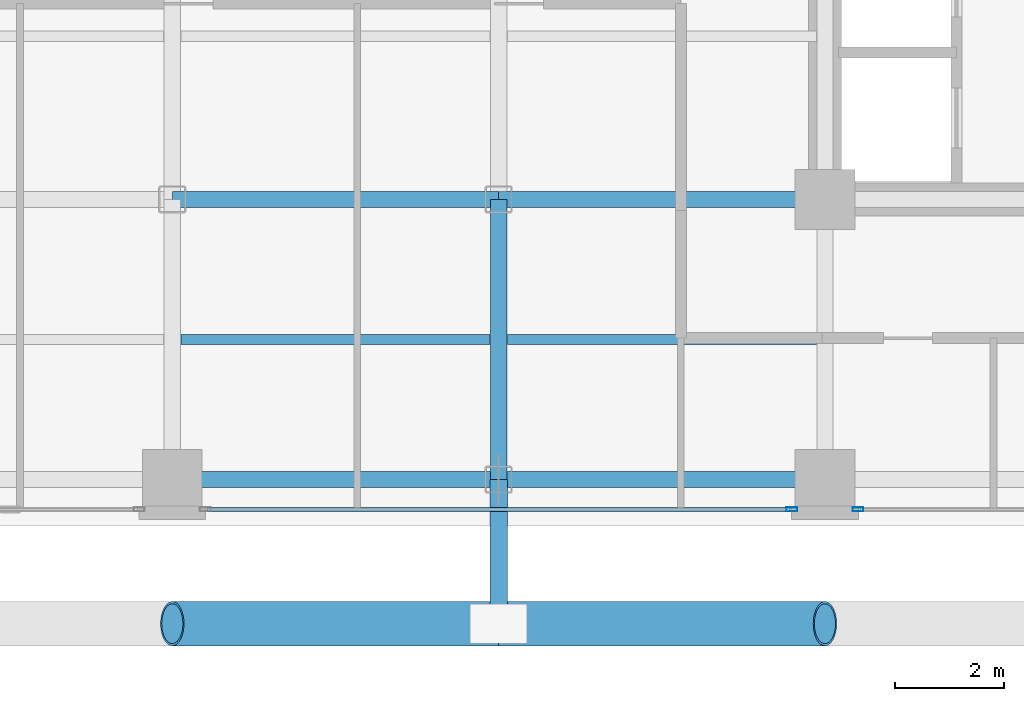
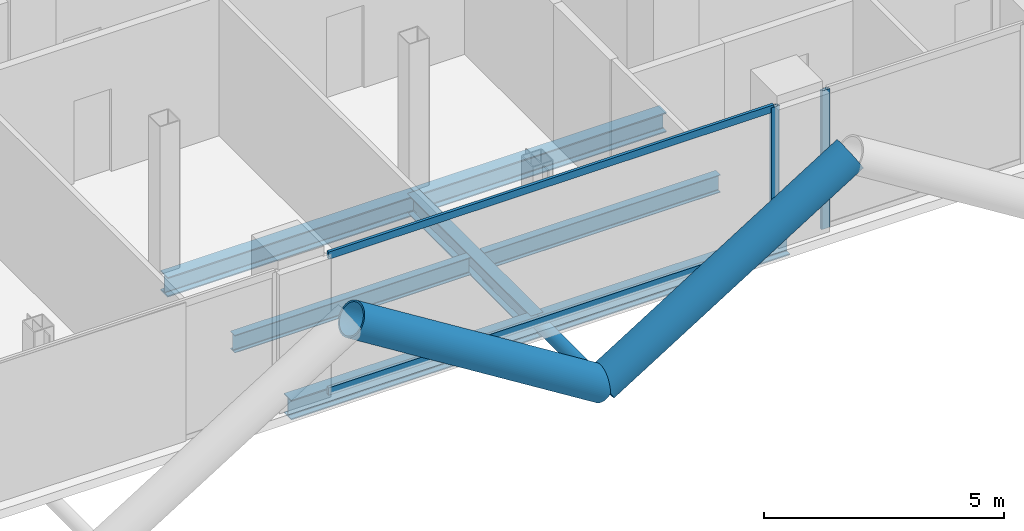
# One storey, part 4 of 28: 7 beams, 7 members, 2 elements without a shape of their own.
"""IFC4 building model written with IfcOpenShell, lengths in metres."""

from ifc_helpers import new_model, si_unit, direction, frame, origin, origin_2d, place, context, subcontext, project, spatial, hollow_rectangle, hollow_circle, i_section, extrude, material, layer, layer_set, material_profile, profile_set, type_object, element, aggregate, save


model = new_model("IFC4")

# Units and contexts
model_context = context("Model", 3, precision=1e-05, world=origin(), true_north=direction((0.0, 1.0)))
body_context = subcontext(model_context, "Body", "Model", "MODEL_VIEW")
ifc_project = project(units=[si_unit("LENGTHUNIT", "METRE"), si_unit("AREAUNIT", "SQUARE_METRE"), si_unit("VOLUMEUNIT", "CUBIC_METRE"), si_unit("PLANEANGLEUNIT", "RADIAN"), si_unit("MASSUNIT", "GRAM", prefix="KILO"), si_unit("THERMODYNAMICTEMPERATUREUNIT", "KELVIN"), si_unit("POWERUNIT", "WATT")], contexts=[model_context])

# Site, building, storey
site_placement = place(None, origin())
site = spatial("IfcSite", under=ifc_project, at=site_placement, CompositionType="ELEMENT")
building_placement = place(site_placement, origin())
building = spatial("IfcBuilding", under=site, at=building_placement, Name="Svarakhadi Broadcast Tower", CompositionType="ELEMENT")
storey_placement = place(building_placement, frame((0.0, 0.0, 149.39990234375)))
storey = spatial("IfcBuildingStorey", under=building, at=storey_placement, Name="L36", CompositionType="ELEMENT", Elevation=149.39990234375)

# Beams
ifc_material_1 = material(Name="Steel S355J2 (IS 2062 E350C)", Category="steel")
ifc_material_profile_1 = material_profile(ifc_material_1, i_section(OverallWidth=0.18994140625, OverallDepth=0.449951171875, WebThickness=0.009521484375, FlangeThickness=0.0146484375, FilletRadius=0.02099609375, at=origin_2d()), Name="NPB 450x190x78")
ifc_profile_set_1 = profile_set([ifc_material_profile_1], Name="Steel S355J2 (IS 2062 E350C)")
beam_type_1 = type_object("IfcBeamType", Name="Beam_NPB450", PredefinedType="BEAM", material=ifc_profile_set_1)
for number, where, z_axis, x_axis, name in (
    (1, (12.159912109375, 3.425048828125, -0.449951171875), (1.0, 0.0, 0.0), (0.0, 1.0, 0.0), "L36 Secondary Composite Beam SB011"),
    (2, (18.159912109375, 3.425048828125, -0.449951171875), (1.0, 0.0, 0.0), (0.0, 1.0, 0.0), "L36 Secondary Composite Beam SB016"),
):
    element("IfcBeam", number, at=place(storey_placement, frame(where, z_axis=z_axis, x_axis=x_axis)), inside=storey, type_object=beam_type_1, Name=name, PredefinedType="BEAM", context=body_context, shape_type="SweptSolid", body=[
        extrude(i_section(OverallWidth=0.18994140625, OverallDepth=0.449951171875, WebThickness=0.009521484375, FlangeThickness=0.0146484375, FilletRadius=0.02099609375, at=origin_2d()), origin(), (0.0, 0.0, 1.0), 5.68017578125),
    ])

# Curtain wall, member
ifc_material_2 = material(Name="Anodised Bronze Aluminium AA 6063-T6", Category="aluminium")
ifc_layer = layer(ifc_material_2, 0.199951171875)
ifc_layer_set = layer_set([ifc_layer], Name="Anodised Bronze Aluminium AA 6063-T6")
curtain_wall_type = type_object("IfcCurtainWallType", Name="CW_Sys_03", PredefinedType="NOTDEFINED", material=ifc_layer_set)
curtain_wall_1_placement = place(storey_placement, origin())
curtain_wall_1 = element("IfcCurtainWall", 3, at=curtain_wall_1_placement, inside=storey, type_object=curtain_wall_type, Name="L36 South Curtain Wall 17 Bay 2", PredefinedType="NOTDEFINED")
ifc_material_profile_2 = material_profile(ifc_material_2, hollow_rectangle(XDim=0.074951171875, YDim=0.199951171875, WallThickness=0.005615234375, at=origin_2d()), Name="ALU MULLION 200x75x6")
ifc_profile_set_2 = profile_set([ifc_material_profile_2], Name="Anodised Bronze Aluminium AA 6063-T6")
member_type_1 = type_object("IfcMemberType", Name="CW_Sys_03_Mul", PredefinedType="MULLION", material=ifc_profile_set_2)
member_1_placement = place(storey_placement, frame((24.607421875, 0.300048828125, 0.0), z_axis=(0.0, 0.0, 1.0), x_axis=(0.0, -1.0, 0.0)))
member_1 = element("IfcMember", 4, at=member_1_placement, type_object=member_type_1, Name="CW-03 mullion 2", PredefinedType="MULLION", context=body_context, shape_type="SweptSolid", body=[
    extrude(hollow_rectangle(XDim=0.074951171875, YDim=0.199951171875, WallThickness=0.005615234375, at=origin_2d()), origin(), (0.0, 0.0, 1.0), 3.525146484375),
])
aggregate(curtain_wall_1, [member_1])

# Curtain wall, members
curtain_wall_2_placement = place(storey_placement, origin())
curtain_wall_2 = element("IfcCurtainWall", 5, at=curtain_wall_2_placement, inside=storey, type_object=curtain_wall_type, Name="L36 South Curtain Wall 17 Bay 3", PredefinedType="NOTDEFINED")
member_2_placement = place(storey_placement, frame((23.392578125, 0.300048828125, 0.0), z_axis=(0.0, 0.0, 1.0), x_axis=(0.0, -1.0, 0.0)))
member_2 = element("IfcMember", 6, at=member_2_placement, type_object=member_type_1, Name="CW-03 mullion 1", PredefinedType="MULLION", context=body_context, shape_type="SweptSolid", body=[
    extrude(hollow_rectangle(XDim=0.074951171875, YDim=0.199951171875, WallThickness=0.005615234375, at=origin_2d()), origin(), (0.0, 0.0, 1.0), 3.525146484375),
])
ifc_material_profile_3 = material_profile(ifc_material_2, hollow_rectangle(XDim=0.070068359375, YDim=0.18505859375, WallThickness=0.0048828125, at=origin_2d()), Name="ALU TRANSOM 185x70x5")
ifc_profile_set_3 = profile_set([ifc_material_profile_3], Name="Anodised Bronze Aluminium AA 6063-T6")
member_type_2 = type_object("IfcMemberType", Name="CW_Sys_03_Trn", PredefinedType="USERDEFINED", material=ifc_profile_set_3)
member_3_placement = place(storey_placement, frame((23.35498046875, 0.300048828125, 0.03515625), z_axis=(-1.0, 0.0, 0.0), x_axis=(0.0, -1.0, 0.0)))
member_3 = element("IfcMember", 7, at=member_3_placement, type_object=member_type_2, Name="CW-03 transom 1.1", ObjectType="TRANSOM", PredefinedType="USERDEFINED", context=body_context, shape_type="SweptSolid", body=[
    extrude(hollow_rectangle(XDim=0.070068359375, YDim=0.18505859375, WallThickness=0.0048828125, at=origin_2d()), origin(), (0.0, 0.0, 1.0), 10.7099609375),
])
member_4_placement = place(storey_placement, frame((23.35498046875, 0.300048828125, 3.489990234375), z_axis=(-1.0, 0.0, 0.0), x_axis=(0.0, -1.0, 0.0)))
member_4 = element("IfcMember", 8, at=member_4_placement, type_object=member_type_2, Name="CW-03 transom 1.2", ObjectType="TRANSOM", PredefinedType="USERDEFINED", context=body_context, shape_type="SweptSolid", body=[
    extrude(hollow_rectangle(XDim=0.070068359375, YDim=0.18505859375, WallThickness=0.0048828125, at=origin_2d()), origin(), (0.0, 0.0, 1.0), 10.7099609375),
])
aggregate(curtain_wall_2, [member_2, member_3, member_4])

# Members
ifc_material_3 = material(Name="Steel S460ML (IS 2062 E450BR)", Category="steel")
ifc_material_profile_4 = material_profile(ifc_material_3, hollow_circle(Radius=0.406494140625, WallThickness=0.0400390625, at=origin_2d()), Name="CHS 813x40")
ifc_profile_set_4 = profile_set([ifc_material_profile_4], Name="Steel S460ML (IS 2062 E450BR)")
member_type_3 = type_object("IfcMemberType", Name="Exo_Brace_CHS813", PredefinedType="BRACE", material=ifc_profile_set_4)
for number, where, z_axis, x_axis, name in (
    (9, (18.0, -1.800048828125, -0.386962890625), (-0.847998304005, 0.0, 0.529998940003), (0.0, -1.0, 0.0), "L36 Exposed Bronze Exoskeleton Diagonal S02"),
    (10, (18.0, -1.800048828125, -0.386962890625), (0.847998304005, 0.0, 0.529998940003), (0.0, 1.0, 0.0), "L36 Exposed Bronze Exoskeleton Diagonal S03"),
):
    element("IfcMember", number, at=place(storey_placement, frame(where, z_axis=z_axis, x_axis=x_axis)), inside=storey, type_object=member_type_3, Name=name, PredefinedType="BRACE", context=body_context, shape_type="SweptSolid", body=[
        extrude(hollow_circle(Radius=0.406494140625, WallThickness=0.0400390625, at=origin_2d()), origin(), (0.0, 0.0, 1.0), 7.075439453125),
    ])
ifc_material_profile_5 = material_profile(ifc_material_3, hollow_circle(Radius=0.161865234375, WallThickness=0.01611328125, at=origin_2d()), Name="CHS 323.9x16")
ifc_profile_set_5 = profile_set([ifc_material_profile_5], Name="Steel S460ML (IS 2062 E450BR)")
member_type_4 = type_object("IfcMemberType", Name="Exo_Radial_Strut_Z2", PredefinedType="STRUT", material=ifc_profile_set_5)
member_5_placement = place(storey_placement, frame((18.0, -1.800048828125, -0.386962890625), z_axis=(0.0, 1.0, 0.0), x_axis=(-1.0, 0.0, 0.0)))
element("IfcMember", 11, at=member_5_placement, inside=storey, type_object=member_type_4, Name="L36 Exoskeleton Radial Tie Strut S02", PredefinedType="STRUT", context=body_context, shape_type="SweptSolid", body=[
    extrude(hollow_circle(Radius=0.161865234375, WallThickness=0.01611328125, at=origin_2d()), origin(), (0.0, 0.0, 1.0), 2.650146484375),
])

# Beams
ifc_material_profile_6 = material_profile(ifc_material_1, i_section(OverallWidth=0.300048828125, OverallDepth=0.5, WebThickness=0.014404296875, FlangeThickness=0.028076171875, FilletRadius=0.027099609375, at=origin_2d()), Name="WPB 500x300x187")
ifc_profile_set_6 = profile_set([ifc_material_profile_6], Name="Steel S355J2 (IS 2062 E350C)")
beam_type_2 = type_object("IfcBeamType", Name="Girder_WPB500", PredefinedType="USERDEFINED", material=ifc_profile_set_6)
for number, where, z_axis, x_axis, name in (
    (12, (12.0, 0.85009765625, -0.474853515625), (1.0, 0.0, 0.0), (0.0, 1.0, 0.0), "L36 Primary E-W Girder G005"),
    (13, (18.0, 0.85009765625, -0.474853515625), (1.0, 0.0, 0.0), (0.0, 1.0, 0.0), "L36 Primary E-W Girder G006"),
    (14, (12.0, 6.0, -0.474853515625), (1.0, 0.0, 0.0), (0.0, 1.0, 0.0), "L36 Primary E-W Girder G012"),
    (15, (18.0, 6.0, -0.474853515625), (1.0, 0.0, 0.0), (0.0, 1.0, 0.0), "L36 Primary E-W Girder G013"),
):
    element("IfcBeam", number, at=place(storey_placement, frame(where, z_axis=z_axis, x_axis=x_axis)), inside=storey, type_object=beam_type_2, Name=name, ObjectType="GIRDER", PredefinedType="USERDEFINED", context=body_context, shape_type="SweptSolid", body=[
        extrude(i_section(OverallWidth=0.300048828125, OverallDepth=0.5, WebThickness=0.014404296875, FlangeThickness=0.028076171875, FilletRadius=0.027099609375, at=origin_2d()), origin(), (0.0, 0.0, 1.0), 6.0),
    ])
beam_placement = place(storey_placement, frame((18.0, 0.85009765625, -0.474853515625), z_axis=(0.0, 1.0, 0.0), x_axis=(-1.0, 0.0, 0.0)))
element("IfcBeam", 16, at=beam_placement, inside=storey, type_object=beam_type_2, Name="L36 Primary N-S Girder G056", ObjectType="GIRDER", PredefinedType="USERDEFINED", context=body_context, shape_type="SweptSolid", body=[
    extrude(i_section(OverallWidth=0.300048828125, OverallDepth=0.5, WebThickness=0.014404296875, FlangeThickness=0.028076171875, FilletRadius=0.027099609375, at=origin_2d()), origin(), (0.0, 0.0, 1.0), 5.14990234375),
])

save(model, "model.ifc")
